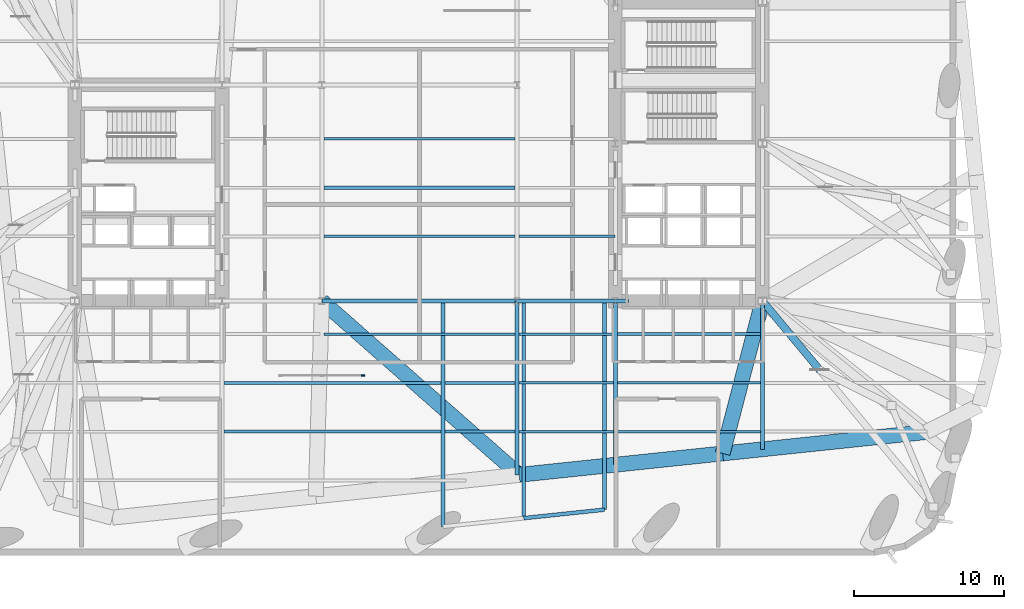
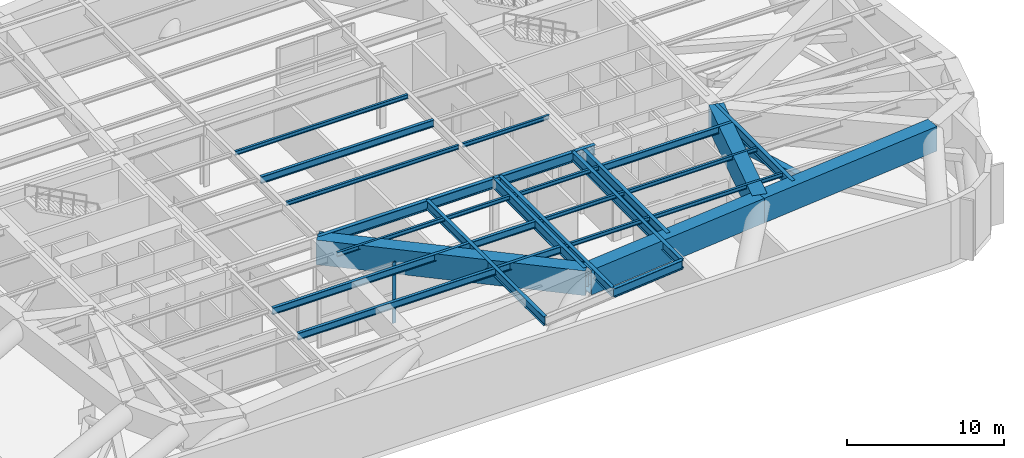
# One storey, part 3 of 16: 26 beams, 2 members, 1 element without a shape of its own.
"""IFC4 building model written with IfcOpenShell, lengths in metres."""

from ifc_helpers import new_model, si_unit, direction, frame, origin, origin_2d, place, context, subcontext, project, spatial, rectangle, hollow_rectangle, i_section, extrude, material, material_profile, profile_set, type_object, element, aggregate, save


model = new_model("IFC4")

# Units and contexts
model_context = context("Model", 3, precision=1e-05, world=origin(), true_north=direction((0.0, 1.0)))
body_context = subcontext(model_context, "Body", "Model", "MODEL_VIEW")
ifc_project = project(units=[si_unit("LENGTHUNIT", "METRE"), si_unit("AREAUNIT", "SQUARE_METRE"), si_unit("VOLUMEUNIT", "CUBIC_METRE"), si_unit("PLANEANGLEUNIT", "RADIAN"), si_unit("MASSUNIT", "GRAM", prefix="KILO")], contexts=[model_context])

# Site, building, storey
site_placement = place(None, origin())
site = spatial("IfcSite", under=ifc_project, at=site_placement, CompositionType="ELEMENT")
building_placement = place(site_placement, origin())
building = spatial("IfcBuilding", under=site, at=building_placement, Name="Kolvaren Arena Tower", CompositionType="ELEMENT")
storey_placement = place(building_placement, frame((0.0, 0.0, 94.5)))
storey = spatial("IfcBuildingStorey", under=building, at=storey_placement, Name="L21", CompositionType="ELEMENT", Elevation=94.5)

# Beams
ifc_material_1 = material(Name="Steel CSA G40.21 350W", Category="steel")
ifc_material_profile_1 = material_profile(ifc_material_1, i_section(OverallWidth=0.2119140625, OverallDepth=0.54296875, WebThickness=0.01318359375, FlangeThickness=0.0244140625, FilletRadius=0.013916015625, at=origin_2d()), Name="W530x150")
ifc_profile_set_1 = profile_set([ifc_material_profile_1], Name="Steel CSA G40.21 350W")
beam_type_1 = type_object("IfcBeamType", Name="BEAM-F1", PredefinedType="BEAM", material=ifc_profile_set_1)
for number, where, z_axis, x_axis, name in (
    (1, (24.485107421875, 10.75, 4.478515625), (1.0, 0.0, 0.0), (0.0, 1.0, 0.0), "Composite Floor Beam (L21)"),
    (2, (24.485107421875, 14.0, 4.478515625), (1.0, 0.0, 0.0), (0.0, 1.0, 0.0), "Composite Floor Beam (L21)"),
):
    element("IfcBeam", number, at=place(storey_placement, frame(where, z_axis=z_axis, x_axis=x_axis)), inside=storey, type_object=beam_type_1, Name=name, PredefinedType="BEAM", context=body_context, shape_type="SweptSolid", body=[
        extrude(i_section(OverallWidth=0.2119140625, OverallDepth=0.54296875, WebThickness=0.01318359375, FlangeThickness=0.0244140625, FilletRadius=0.013916015625, at=origin_2d()), origin(), (0.0, 0.0, 1.0), 19.3798828125),
    ])
beam_1_placement = place(storey_placement, frame((50.68505859375, 17.25, 4.478515625), z_axis=(1.0, 0.0, 0.0), x_axis=(0.0, 1.0, 0.0)))
element("IfcBeam", 3, at=beam_1_placement, inside=storey, type_object=beam_type_1, Name="Composite Floor Beam (L21)", PredefinedType="BEAM", context=body_context, shape_type="SweptSolid", body=[
    extrude(i_section(OverallWidth=0.2119140625, OverallDepth=0.54296875, WebThickness=0.01318359375, FlangeThickness=0.0244140625, FilletRadius=0.013916015625, at=origin_2d()), origin(), (0.0, 0.0, 1.0), 9.530029296875),
])
beam_2_placement = place(storey_placement, frame((31.135009765625, 27.0, 4.478515625), z_axis=(1.0, 0.0, 0.0), x_axis=(0.0, 1.0, 0.0)))
element("IfcBeam", 4, at=beam_2_placement, inside=storey, type_object=beam_type_1, Name="Composite Floor Beam (L21)", PredefinedType="BEAM", context=body_context, shape_type="SweptSolid", body=[
    extrude(i_section(OverallWidth=0.2119140625, OverallDepth=0.54296875, WebThickness=0.01318359375, FlangeThickness=0.0244140625, FilletRadius=0.013916015625, at=origin_2d()), origin(), (0.0, 0.0, 1.0), 12.72998046875),
])

# Curtain wall, member
ifc_material_2 = material(Name="Anodised aluminium unitised curtain wall", Category="aluminium")
curtain_wall_type = type_object("IfcCurtainWallType", Name="CW-SYS-05", PredefinedType="USERDEFINED", material=ifc_material_2)
curtain_wall_placement = place(storey_placement, origin())
curtain_wall = element("IfcCurtainWall", 5, at=curtain_wall_placement, inside=storey, type_object=curtain_wall_type, Name="Mechanical Plant Louvre Curtain Wall (L21)", ObjectType="ACOUSTIC LOUVRE SCREEN", PredefinedType="USERDEFINED")
ifc_material_3 = material(Name="Anodised aluminium 6063-T6", Category="aluminium")
ifc_material_profile_2 = material_profile(ifc_material_3, rectangle(XDim=0.10009765625, YDim=0.239990234375, at=origin_2d()), Name="ALU-100x240")
ifc_profile_set_2 = profile_set([ifc_material_profile_2], Name="Anodised aluminium 6063-T6")
member_type_1 = type_object("IfcMemberType", Name="CWM-HVY", PredefinedType="MULLION", material=ifc_profile_set_2)
member_1_placement = place(storey_placement, frame((33.75, 14.5, 0.0), z_axis=(0.0, 0.0, 1.0), x_axis=(0.0, 1.0, 0.0)))
member_1 = element("IfcMember", 6, at=member_1_placement, type_object=member_type_1, Name="CW5 mullion 3", PredefinedType="MULLION", context=body_context, shape_type="SweptSolid", body=[
    extrude(rectangle(XDim=0.10009765625, YDim=0.239990234375, at=origin_2d()), origin(), (0.0, 0.0, 1.0), 4.75),
])
aggregate(curtain_wall, [member_1])

# Beams
ifc_material_profile_3 = material_profile(ifc_material_1, i_section(OverallWidth=0.27001953125, OverallDepth=0.77294921875, WebThickness=0.019287109375, FlangeThickness=0.033447265625, FilletRadius=0.01806640625, at=origin_2d()), Name="W760x257")
ifc_profile_set_3 = profile_set([ifc_material_profile_3], Name="Steel CSA G40.21 350W")
beam_type_2 = type_object("IfcBeamType", Name="GIRD-T1", PredefinedType="BEAM", material=ifc_profile_set_3)
beam_3_placement = place(storey_placement, frame((31.0, 19.449951171875, 4.363525390625), z_axis=(1.0, 0.0, 0.0), x_axis=(0.0, 1.0, 0.0)))
element("IfcBeam", 7, at=beam_3_placement, inside=storey, type_object=beam_type_2, Name="Primary Floor Girder (L21)", PredefinedType="BEAM", context=body_context, shape_type="SweptSolid", body=[
    extrude(i_section(OverallWidth=0.27001953125, OverallDepth=0.77294921875, WebThickness=0.019287109375, FlangeThickness=0.033447265625, FilletRadius=0.01806640625, at=origin_2d()), origin(), (0.0, 0.0, 1.0), 13.0),
])
beam_4_placement = place(storey_placement, frame((44.0, 19.449951171875, 4.363525390625), z_axis=(1.0, 0.0, 0.0), x_axis=(0.0, 1.0, 0.0)))
element("IfcBeam", 8, at=beam_4_placement, inside=storey, type_object=beam_type_2, Name="Primary Floor Girder (L21)", PredefinedType="BEAM", context=body_context, shape_type="SweptSolid", body=[
    extrude(i_section(OverallWidth=0.27001953125, OverallDepth=0.77294921875, WebThickness=0.019287109375, FlangeThickness=0.033447265625, FilletRadius=0.01806640625, at=origin_2d()), origin(), (0.0, 0.0, 1.0), 7.4150390625),
])
beam_5_placement = place(storey_placement, frame((44.0, 7.857666015625, 4.363525390625), z_axis=(0.0, 1.0, 0.0), x_axis=(-1.0, 0.0, 0.0)))
element("IfcBeam", 9, at=beam_5_placement, inside=storey, type_object=beam_type_2, Name="Primary Floor Girder (L21)", PredefinedType="BEAM", context=body_context, shape_type="SweptSolid", body=[
    extrude(i_section(OverallWidth=0.27001953125, OverallDepth=0.77294921875, WebThickness=0.019287109375, FlangeThickness=0.033447265625, FilletRadius=0.01806640625, at=origin_2d()), origin(), (0.0, 0.0, 1.0), 11.59228515625),
])
beam_6_placement = place(storey_placement, frame((50.550048828125, 8.5458984375, 4.363525390625), z_axis=(0.0, 1.0, 0.0), x_axis=(-1.0, 0.0, 0.0)))
element("IfcBeam", 10, at=beam_6_placement, inside=storey, type_object=beam_type_2, Name="Primary Floor Girder (L21)", PredefinedType="BEAM", context=body_context, shape_type="SweptSolid", body=[
    extrude(i_section(OverallWidth=0.27001953125, OverallDepth=0.77294921875, WebThickness=0.019287109375, FlangeThickness=0.033447265625, FilletRadius=0.01806640625, at=origin_2d()), origin(), (0.0, 0.0, 1.0), 10.904052734375),
])
beam_7_placement = place(storey_placement, frame((60.35009765625, 9.575927734375, 4.363525390625), z_axis=(0.0, 1.0, 0.0), x_axis=(-1.0, 0.0, 0.0)))
element("IfcBeam", 11, at=beam_7_placement, inside=storey, type_object=beam_type_2, Name="Primary Floor Girder (L21)", PredefinedType="BEAM", context=body_context, shape_type="SweptSolid", body=[
    extrude(i_section(OverallWidth=0.27001953125, OverallDepth=0.77294921875, WebThickness=0.019287109375, FlangeThickness=0.033447265625, FilletRadius=0.01806640625, at=origin_2d()), origin(), (0.0, 0.0, 1.0), 9.8740234375),
])
ifc_material_profile_4 = material_profile(ifc_material_1, i_section(OverallWidth=0.2548828125, OverallDepth=0.695068359375, WebThickness=0.01708984375, FlangeThickness=0.02978515625, FilletRadius=0.01611328125, at=origin_2d()), Name="W690x217")
ifc_profile_set_4 = profile_set([ifc_material_profile_4], Name="Steel CSA G40.21 350W")
beam_type_3 = type_object("IfcBeamType", Name="GIRD-T2", PredefinedType="BEAM", material=ifc_profile_set_4)
beam_8_placement = place(storey_placement, frame((39.079345703125, 19.449951171875, 4.402587890625), z_axis=(0.0, -1.0, 0.0), x_axis=(1.0, 0.0, 0.0)))
element("IfcBeam", 12, at=beam_8_placement, inside=storey, type_object=beam_type_3, Name="Terrace Cantilever Support Girder (L22)", PredefinedType="BEAM", context=body_context, shape_type="SweptSolid", body=[
    extrude(i_section(OverallWidth=0.2548828125, OverallDepth=0.695068359375, WebThickness=0.01708984375, FlangeThickness=0.02978515625, FilletRadius=0.01611328125, at=origin_2d()), origin(), (0.0, 0.0, 1.0), 15.025634765625),
])
beam_9_placement = place(storey_placement, frame((44.44970703125, 19.449951171875, 4.402587890625), z_axis=(0.0, -1.0, 0.0), x_axis=(1.0, 0.0, 0.0)))
element("IfcBeam", 13, at=beam_9_placement, inside=storey, type_object=beam_type_3, Name="Terrace Cantilever Support Girder (L22)", PredefinedType="BEAM", context=body_context, shape_type="SweptSolid", body=[
    extrude(i_section(OverallWidth=0.2548828125, OverallDepth=0.695068359375, WebThickness=0.01708984375, FlangeThickness=0.02978515625, FilletRadius=0.01611328125, at=origin_2d()), origin(), (0.0, 0.0, 1.0), 14.4609375),
])
beam_10_placement = place(storey_placement, frame((49.8203125, 19.449951171875, 4.402587890625), z_axis=(0.0, -1.0, 0.0), x_axis=(1.0, 0.0, 0.0)))
element("IfcBeam", 14, at=beam_10_placement, inside=storey, type_object=beam_type_3, Name="Terrace Cantilever Support Girder (L22)", PredefinedType="BEAM", context=body_context, shape_type="SweptSolid", body=[
    extrude(i_section(OverallWidth=0.2548828125, OverallDepth=0.695068359375, WebThickness=0.01708984375, FlangeThickness=0.02978515625, FilletRadius=0.01611328125, at=origin_2d()), origin(), (0.0, 0.0, 1.0), 13.896728515625),
])
beam_11_placement = place(storey_placement, frame((44.44970703125, 4.989013671875, 4.402587890625), z_axis=(0.994526983953, 0.104480037272, 0.0), x_axis=(-0.104480037272, 0.994526983953, 0.0)))
element("IfcBeam", 15, at=beam_11_placement, inside=storey, type_object=beam_type_3, Name="Terrace Edge Fascia Beam (L22)", PredefinedType="BEAM", context=body_context, shape_type="SweptSolid", body=[
    extrude(i_section(OverallWidth=0.2548828125, OverallDepth=0.695068359375, WebThickness=0.01708984375, FlangeThickness=0.02978515625, FilletRadius=0.01611328125, at=origin_2d()), origin(), (0.0, 0.0, 1.0), 5.400146484375),
])
ifc_material_profile_5 = material_profile(ifc_material_1, i_section(OverallWidth=0.1669921875, OverallDepth=0.31689453125, WebThickness=0.007568359375, FlangeThickness=0.01318359375, FilletRadius=0.010009765625, at=origin_2d()), Name="W310x52")
ifc_profile_set_5 = profile_set([ifc_material_profile_5], Name="Steel CSA G40.21 350W")
beam_type_4 = type_object("IfcBeamType", Name="JOIST-02", PredefinedType="JOIST", material=ifc_profile_set_5)
beam_12_placement = place(storey_placement, frame((44.135009765625, 10.75, 4.591552734375), z_axis=(1.0, 0.0, 0.0), x_axis=(0.0, 1.0, 0.0)))
element("IfcBeam", 16, at=beam_12_placement, inside=storey, type_object=beam_type_4, Name="Composite Floor Joist (L21)", PredefinedType="JOIST", context=body_context, shape_type="SweptSolid", body=[
    extrude(i_section(OverallWidth=0.1669921875, OverallDepth=0.31689453125, WebThickness=0.007568359375, FlangeThickness=0.01318359375, FilletRadius=0.010009765625, at=origin_2d()), origin(), (0.0, 0.0, 1.0), 6.280029296875),
])
beam_13_placement = place(storey_placement, frame((50.68505859375, 10.75, 4.591552734375), z_axis=(1.0, 0.0, 0.0), x_axis=(0.0, 1.0, 0.0)))
element("IfcBeam", 17, at=beam_13_placement, inside=storey, type_object=beam_type_4, Name="Composite Floor Joist (L21)", PredefinedType="JOIST", context=body_context, shape_type="SweptSolid", body=[
    extrude(i_section(OverallWidth=0.1669921875, OverallDepth=0.31689453125, WebThickness=0.007568359375, FlangeThickness=0.01318359375, FilletRadius=0.010009765625, at=origin_2d()), origin(), (0.0, 0.0, 1.0), 9.530029296875),
])
beam_14_placement = place(storey_placement, frame((44.135009765625, 14.0, 4.591552734375), z_axis=(1.0, 0.0, 0.0), x_axis=(0.0, 1.0, 0.0)))
element("IfcBeam", 18, at=beam_14_placement, inside=storey, type_object=beam_type_4, Name="Composite Floor Joist (L21)", PredefinedType="JOIST", context=body_context, shape_type="SweptSolid", body=[
    extrude(i_section(OverallWidth=0.1669921875, OverallDepth=0.31689453125, WebThickness=0.007568359375, FlangeThickness=0.01318359375, FilletRadius=0.010009765625, at=origin_2d()), origin(), (0.0, 0.0, 1.0), 6.280029296875),
])
beam_15_placement = place(storey_placement, frame((50.68505859375, 14.0, 4.591552734375), z_axis=(1.0, 0.0, 0.0), x_axis=(0.0, 1.0, 0.0)))
element("IfcBeam", 19, at=beam_15_placement, inside=storey, type_object=beam_type_4, Name="Composite Floor Joist (L21)", PredefinedType="JOIST", context=body_context, shape_type="SweptSolid", body=[
    extrude(i_section(OverallWidth=0.1669921875, OverallDepth=0.31689453125, WebThickness=0.007568359375, FlangeThickness=0.01318359375, FilletRadius=0.010009765625, at=origin_2d()), origin(), (0.0, 0.0, 1.0), 9.530029296875),
])
beam_16_placement = place(storey_placement, frame((31.135009765625, 17.25, 4.591552734375), z_axis=(1.0, 0.0, 0.0), x_axis=(0.0, 1.0, 0.0)))
element("IfcBeam", 20, at=beam_16_placement, inside=storey, type_object=beam_type_4, Name="Composite Floor Joist (L21)", PredefinedType="JOIST", context=body_context, shape_type="SweptSolid", body=[
    extrude(i_section(OverallWidth=0.1669921875, OverallDepth=0.31689453125, WebThickness=0.007568359375, FlangeThickness=0.01318359375, FilletRadius=0.010009765625, at=origin_2d()), origin(), (0.0, 0.0, 1.0), 12.72998046875),
])
beam_17_placement = place(storey_placement, frame((44.135009765625, 17.25, 4.591552734375), z_axis=(1.0, 0.0, 0.0), x_axis=(0.0, 1.0, 0.0)))
element("IfcBeam", 21, at=beam_17_placement, inside=storey, type_object=beam_type_4, Name="Composite Floor Joist (L21)", PredefinedType="JOIST", context=body_context, shape_type="SweptSolid", body=[
    extrude(i_section(OverallWidth=0.1669921875, OverallDepth=0.31689453125, WebThickness=0.007568359375, FlangeThickness=0.01318359375, FilletRadius=0.010009765625, at=origin_2d()), origin(), (0.0, 0.0, 1.0), 6.280029296875),
])
beam_18_placement = place(storey_placement, frame((31.135009765625, 23.75, 4.591552734375), z_axis=(1.0, 0.0, 0.0), x_axis=(0.0, 1.0, 0.0)))
element("IfcBeam", 22, at=beam_18_placement, inside=storey, type_object=beam_type_4, Name="Composite Floor Joist (L21)", PredefinedType="JOIST", context=body_context, shape_type="SweptSolid", body=[
    extrude(i_section(OverallWidth=0.1669921875, OverallDepth=0.31689453125, WebThickness=0.007568359375, FlangeThickness=0.01318359375, FilletRadius=0.010009765625, at=origin_2d()), origin(), (0.0, 0.0, 1.0), 12.72998046875),
])
beam_19_placement = place(storey_placement, frame((44.135009765625, 23.75, 4.591552734375), z_axis=(1.0, 0.0, 0.0), x_axis=(0.0, 1.0, 0.0)))
element("IfcBeam", 23, at=beam_19_placement, inside=storey, type_object=beam_type_4, Name="Composite Floor Joist (L21)", PredefinedType="JOIST", context=body_context, shape_type="SweptSolid", body=[
    extrude(i_section(OverallWidth=0.1669921875, OverallDepth=0.31689453125, WebThickness=0.007568359375, FlangeThickness=0.01318359375, FilletRadius=0.010009765625, at=origin_2d()), origin(), (0.0, 0.0, 1.0), 6.39501953125),
])
beam_20_placement = place(storey_placement, frame((31.135009765625, 30.25, 4.591552734375), z_axis=(1.0, 0.0, 0.0), x_axis=(0.0, 1.0, 0.0)))
element("IfcBeam", 24, at=beam_20_placement, inside=storey, type_object=beam_type_4, Name="Composite Floor Joist (L21)", PredefinedType="JOIST", context=body_context, shape_type="SweptSolid", body=[
    extrude(i_section(OverallWidth=0.1669921875, OverallDepth=0.31689453125, WebThickness=0.007568359375, FlangeThickness=0.01318359375, FilletRadius=0.010009765625, at=origin_2d()), origin(), (0.0, 0.0, 1.0), 12.72998046875),
])

# Member
ifc_material_4 = material(Name="Steel CSA G40.21 350WT", Category="steel")
ifc_material_profile_6 = material_profile(ifc_material_4, hollow_rectangle(XDim=0.5, YDim=0.5, WallThickness=0.02197265625, at=origin_2d()), Name="HSS 500x500x22")
ifc_profile_set_6 = profile_set([ifc_material_profile_6], Name="Steel CSA G40.21 350WT")
member_type_2 = type_object("IfcMemberType", Name="OUT-DIAG", PredefinedType="BRACE", material=ifc_profile_set_6)
member_2_placement = place(storey_placement, frame((60.35009765625, 19.449951171875, 2.47998046875), z_axis=(0.601285994557, -0.724372956539, -0.337252090556), x_axis=(0.769451768504, 0.638704920872, 0.0)))
element("IfcMember", 25, at=member_2_placement, inside=storey, type_object=member_type_2, Name="Outrigger Warren Diagonal A 3 (L21)", PredefinedType="BRACE", context=body_context, shape_type="SweptSolid", body=[
    extrude(hollow_rectangle(XDim=0.5, YDim=0.5, WallThickness=0.02197265625, at=origin_2d()), origin(), (0.0, 0.0, 1.0), 6.3154296875),
])

# Beams
ifc_material_profile_7 = material_profile(ifc_material_4, hollow_rectangle(XDim=1.0, YDim=1.919921875, WallThickness=0.044921875, at=origin_2d()), Name="BOX 1000x1920x45")
ifc_profile_set_7 = profile_set([ifc_material_profile_7], Name="Steel CSA G40.21 350WT")
beam_type_5 = type_object("IfcBeamType", Name="TG-MEGA", PredefinedType="USERDEFINED", material=ifc_profile_set_7)
beam_21_placement = place(storey_placement, frame((44.146728515625, 7.873046875, 3.7900390625), z_axis=(0.994522817887, 0.104519685718, 0.0), x_axis=(-0.104519685718, 0.994522817887, 0.0)))
element("IfcBeam", 26, at=beam_21_placement, inside=storey, type_object=beam_type_5, Name="Perimeter Transfer Ring Girder 03 (L21)", ObjectType="TRANSFER GIRDER", PredefinedType="USERDEFINED", context=body_context, shape_type="SweptSolid", body=[
    extrude(hollow_rectangle(XDim=1.0, YDim=1.919921875, WallThickness=0.044921875, at=origin_2d()), origin(), (0.0, 0.0, 1.0), 13.625),
])
beam_22_placement = place(storey_placement, frame((44.146728515625, 7.873046875, 3.7900390625), z_axis=(-0.750493122384, 0.660878259027, 0.0), x_axis=(-0.660878259027, -0.750493122384, 0.0)))
element("IfcBeam", 27, at=beam_22_placement, inside=storey, type_object=beam_type_5, Name="Cantilever Block Transfer Girder 03 (L21)", ObjectType="TRANSFER GIRDER", PredefinedType="USERDEFINED", context=body_context, shape_type="SweptSolid", body=[
    extrude(hollow_rectangle(XDim=1.0, YDim=1.919921875, WallThickness=0.044921875, at=origin_2d()), origin(), (0.0, 0.0, 1.0), 17.517333984375),
])
beam_23_placement = place(storey_placement, frame((57.697021484375, 9.297119140625, 3.7900390625), z_axis=(0.994520955135, 0.104537408603, 0.0), x_axis=(-0.104537408603, 0.994520955135, 0.0)))
element("IfcBeam", 28, at=beam_23_placement, inside=storey, type_object=beam_type_5, Name="Perimeter Transfer Ring Girder 04 (L21)", ObjectType="TRANSFER GIRDER", PredefinedType="USERDEFINED", context=body_context, shape_type="SweptSolid", body=[
    extrude(hollow_rectangle(XDim=1.0, YDim=1.919921875, WallThickness=0.044921875, at=origin_2d()), origin(), (0.0, 0.0, 1.0), 13.625),
])
beam_24_placement = place(storey_placement, frame((57.697021484375, 9.297119140625, 3.7900390625), z_axis=(0.252824386177, 0.967512185843, 0.0), x_axis=(-0.967512185843, 0.252824386177, 0.0)))
element("IfcBeam", 29, at=beam_24_placement, inside=storey, type_object=beam_type_5, Name="Cantilever Block Transfer Girder 04 (L21)", ObjectType="TRANSFER GIRDER", PredefinedType="USERDEFINED", context=body_context, shape_type="SweptSolid", body=[
    extrude(hollow_rectangle(XDim=1.0, YDim=1.919921875, WallThickness=0.044921875, at=origin_2d()), origin(), (0.0, 0.0, 1.0), 10.49365234375),
])

save(model, "model.ifc")
